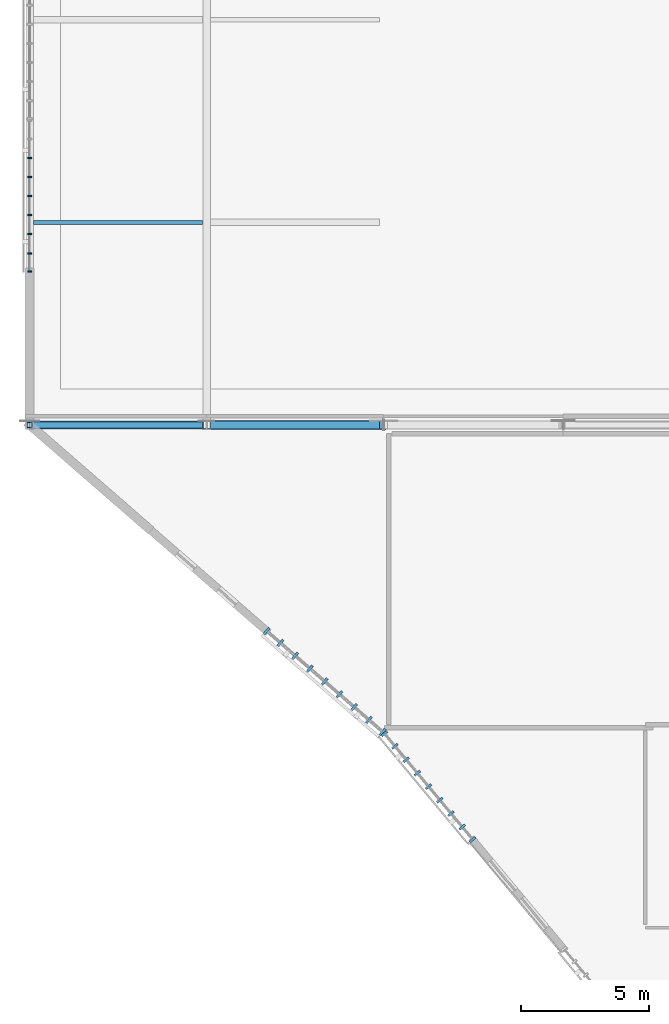
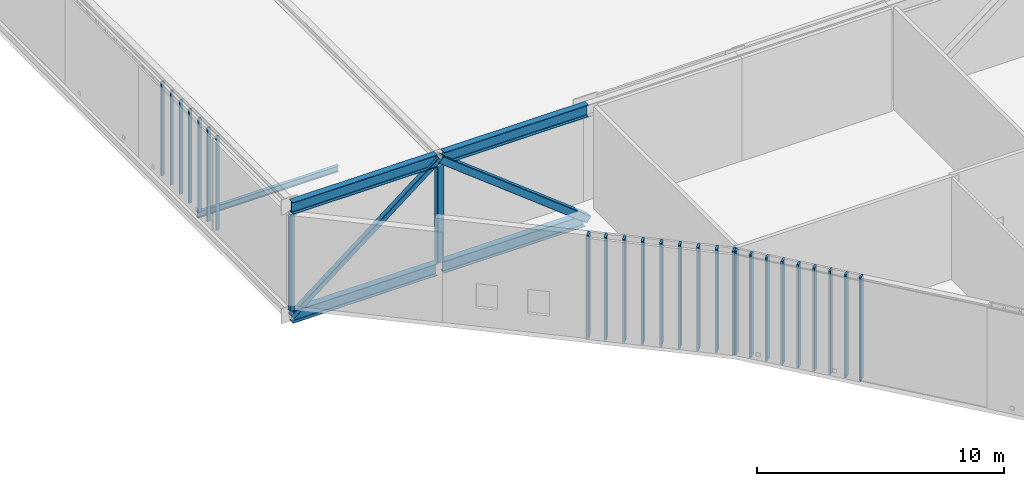
# One storey, part 10 of 135: 29 members, 5 beams, 3 elements without a shape of their own.
"""IFC4 building model written with IfcOpenShell, lengths in metres."""

from ifc_helpers import new_model, si_unit, direction, frame, origin, origin_2d, place, context, subcontext, project, spatial, rectangle, hollow_rectangle, i_section, extrude, material, material_profile, profile_set, type_object, element, aggregate, save


model = new_model("IFC4")

# Units and contexts
model_context = context("Model", 3, precision=1e-05, world=origin(), true_north=direction((0.0, 1.0)))
body_context = subcontext(model_context, "Body", "Model", "MODEL_VIEW")
ifc_project = project(units=[si_unit("LENGTHUNIT", "METRE"), si_unit("AREAUNIT", "SQUARE_METRE"), si_unit("VOLUMEUNIT", "CUBIC_METRE"), si_unit("PLANEANGLEUNIT", "RADIAN"), si_unit("MASSUNIT", "GRAM", prefix="KILO")], contexts=[model_context])

# Site, building, storey
site_placement = place(None, origin())
site = spatial("IfcSite", under=ifc_project, at=site_placement, CompositionType="ELEMENT")
building_placement = place(site_placement, origin())
building = spatial("IfcBuilding", under=site, at=building_placement, Name="Larkvane Passage Sports Hall", CompositionType="ELEMENT")
storey_placement = place(building_placement, frame((0.0, 0.0, 16.800048828125)))
storey = spatial("IfcBuildingStorey", under=building, at=storey_placement, Name="L03", CompositionType="ELEMENT", Elevation=16.800048828125)

# Beams
ifc_material_1 = material(Name="Steel S460N", Category="steel")
ifc_material_profile_1 = material_profile(ifc_material_1, i_section(OverallWidth=0.300048828125, OverallDepth=0.587890625, WebThickness=0.011962890625, FlangeThickness=0.02001953125, FilletRadius=0.02197265625, at=origin_2d()), Name="H-588x300x12x20")
ifc_profile_set_1 = profile_set([ifc_material_profile_1], Name="Steel S460N")
beam_type_1 = type_object("IfcBeamType", Name="BM-STL-H588", PredefinedType="BEAM", material=ifc_profile_set_1)
for number, where, z_axis, x_axis, name in (
    (1, (0.0, 51.60009765625, -0.614013671875), (1.0, 0.0, 0.0), (0.0, 1.0, 0.0), "Cantilever truss CT-W3A-1 bottom chord 1"),
    (2, (0.0, 51.60009765625, 4.755859375), (1.0, 0.0, 0.0), (0.0, 1.0, 0.0), "Cantilever truss CT-W3A-1 top chord 1"),
):
    element("IfcBeam", number, at=place(storey_placement, frame(where, z_axis=z_axis, x_axis=x_axis)), inside=storey, type_object=beam_type_1, Name=name, PredefinedType="BEAM", context=body_context, shape_type="SweptSolid", body=[
        extrude(i_section(OverallWidth=0.300048828125, OverallDepth=0.587890625, WebThickness=0.011962890625, FlangeThickness=0.02001953125, FilletRadius=0.02197265625, at=origin_2d()), origin(), (0.0, 0.0, 1.0), 6.7451171875),
    ])
beam_1_placement = place(storey_placement, frame((7.054931640625, 51.60009765625, -0.614013671875), z_axis=(1.0, 0.0, 0.0), x_axis=(0.0, 1.0, 0.0)))
element("IfcBeam", 3, at=beam_1_placement, inside=storey, type_object=beam_type_1, Name="Cantilever truss CT-W3A-1 bottom chord 2", PredefinedType="BEAM", context=body_context, shape_type="SweptSolid", body=[
    extrude(i_section(OverallWidth=0.300048828125, OverallDepth=0.587890625, WebThickness=0.011962890625, FlangeThickness=0.02001953125, FilletRadius=0.02197265625, at=origin_2d()), origin(), (0.0, 0.0, 1.0), 6.590087890625),
])
beam_2_placement = place(storey_placement, frame((7.054931640625, 51.60009765625, 4.755859375), z_axis=(1.0, 0.0, 0.0), x_axis=(0.0, 1.0, 0.0)))
element("IfcBeam", 4, at=beam_2_placement, inside=storey, type_object=beam_type_1, Name="Cantilever truss CT-W3A-1 top chord 2", PredefinedType="BEAM", context=body_context, shape_type="SweptSolid", body=[
    extrude(i_section(OverallWidth=0.300048828125, OverallDepth=0.587890625, WebThickness=0.011962890625, FlangeThickness=0.02001953125, FilletRadius=0.02197265625, at=origin_2d()), origin(), (0.0, 0.0, 1.0), 6.7451171875),
])

# Curtain wall, members
ifc_material_2 = material(Name="Thermally broken aluminium and low-E glazing", Category="aluminium")
curtain_wall_type_1 = type_object("IfcCurtainWallType", Name="CW-CLINIC", PredefinedType="USERDEFINED", material=ifc_material_2)
curtain_wall_1_placement = place(storey_placement, origin())
curtain_wall_1 = element("IfcCurtainWall", 5, at=curtain_wall_1_placement, inside=storey, type_object=curtain_wall_type_1, Name="Curtain wall CW5-L03-131", ObjectType="UNITISED CURTAIN WALL", PredefinedType="USERDEFINED")
ifc_material_3 = material(Name="Anodised aluminium 6063-T6", Category="aluminium")
ifc_material_profile_2 = material_profile(ifc_material_3, rectangle(XDim=0.10009765625, YDim=0.320068359375, at=origin_2d()), Name="ALU-MUL-100x320")
ifc_profile_set_2 = profile_set([ifc_material_profile_2], Name="Anodised aluminium 6063-T6")
member_type_1 = type_object("IfcMemberType", Name="CW-MUL-100x320", PredefinedType="MULLION", material=ifc_profile_set_2)
member_1_placement = place(storey_placement, frame((13.76220703125, 39.6328125, 0.0), z_axis=(0.0, 0.0, 1.0), x_axis=(-0.754605522159, 0.65617871493, 0.0)))
member_1 = element("IfcMember", 6, at=member_1_placement, type_object=member_type_1, Name="CW-05 mullion 1", PredefinedType="MULLION", context=body_context, shape_type="SweptSolid", body=[
    extrude(rectangle(XDim=0.10009765625, YDim=0.320068359375, at=origin_2d()), origin(), (0.0, 0.0, 1.0), 5.099853515625),
])
member_2_placement = place(storey_placement, frame((13.22509765625, 40.10009765625, 0.0), z_axis=(0.0, 0.0, 1.0), x_axis=(-0.754605522159, 0.65617871493, 0.0)))
member_2 = element("IfcMember", 7, at=member_2_placement, type_object=member_type_1, Name="CW-05 mullion 2", PredefinedType="MULLION", context=body_context, shape_type="SweptSolid", body=[
    extrude(rectangle(XDim=0.10009765625, YDim=0.320068359375, at=origin_2d()), origin(), (0.0, 0.0, 1.0), 5.099853515625),
])
member_3_placement = place(storey_placement, frame((12.64990234375, 40.60009765625, 0.0), z_axis=(0.0, 0.0, 1.0), x_axis=(-0.754605522159, 0.65617871493, 0.0)))
member_3 = element("IfcMember", 8, at=member_3_placement, type_object=member_type_1, Name="CW-05 mullion 3", PredefinedType="MULLION", context=body_context, shape_type="SweptSolid", body=[
    extrude(rectangle(XDim=0.10009765625, YDim=0.320068359375, at=origin_2d()), origin(), (0.0, 0.0, 1.0), 5.099853515625),
])
member_4_placement = place(storey_placement, frame((12.074951171875, 41.10009765625, 0.0), z_axis=(0.0, 0.0, 1.0), x_axis=(-0.754605522159, 0.65617871493, 0.0)))
member_4 = element("IfcMember", 9, at=member_4_placement, type_object=member_type_1, Name="CW-05 mullion 4", PredefinedType="MULLION", context=body_context, shape_type="SweptSolid", body=[
    extrude(rectangle(XDim=0.10009765625, YDim=0.320068359375, at=origin_2d()), origin(), (0.0, 0.0, 1.0), 5.099853515625),
])
member_5_placement = place(storey_placement, frame((11.5, 41.60009765625, 0.0), z_axis=(0.0, 0.0, 1.0), x_axis=(-0.754605522159, 0.65617871493, 0.0)))
member_5 = element("IfcMember", 10, at=member_5_placement, type_object=member_type_1, Name="CW-05 mullion 5", PredefinedType="MULLION", context=body_context, shape_type="SweptSolid", body=[
    extrude(rectangle(XDim=0.10009765625, YDim=0.320068359375, at=origin_2d()), origin(), (0.0, 0.0, 1.0), 5.099853515625),
])
member_6_placement = place(storey_placement, frame((10.925048828125, 42.10009765625, 0.0), z_axis=(0.0, 0.0, 1.0), x_axis=(-0.754605522159, 0.65617871493, 0.0)))
member_6 = element("IfcMember", 11, at=member_6_placement, type_object=member_type_1, Name="CW-05 mullion 6", PredefinedType="MULLION", context=body_context, shape_type="SweptSolid", body=[
    extrude(rectangle(XDim=0.10009765625, YDim=0.320068359375, at=origin_2d()), origin(), (0.0, 0.0, 1.0), 5.099853515625),
])
member_7_placement = place(storey_placement, frame((10.35009765625, 42.60009765625, 0.0), z_axis=(0.0, 0.0, 1.0), x_axis=(-0.754605522159, 0.65617871493, 0.0)))
member_7 = element("IfcMember", 12, at=member_7_placement, type_object=member_type_1, Name="CW-05 mullion 7", PredefinedType="MULLION", context=body_context, shape_type="SweptSolid", body=[
    extrude(rectangle(XDim=0.10009765625, YDim=0.320068359375, at=origin_2d()), origin(), (0.0, 0.0, 1.0), 5.099853515625),
])
member_8_placement = place(storey_placement, frame((9.77490234375, 43.10009765625, 0.0), z_axis=(0.0, 0.0, 1.0), x_axis=(-0.754605522159, 0.65617871493, 0.0)))
member_8 = element("IfcMember", 13, at=member_8_placement, type_object=member_type_1, Name="CW-05 mullion 8", PredefinedType="MULLION", context=body_context, shape_type="SweptSolid", body=[
    extrude(rectangle(XDim=0.10009765625, YDim=0.320068359375, at=origin_2d()), origin(), (0.0, 0.0, 1.0), 5.099853515625),
])
member_9_placement = place(storey_placement, frame((9.23779296875, 43.567138671875, 0.0), z_axis=(0.0, 0.0, 1.0), x_axis=(-0.754605522159, 0.65617871493, 0.0)))
member_9 = element("IfcMember", 14, at=member_9_placement, type_object=member_type_1, Name="CW-05 mullion 9", PredefinedType="MULLION", context=body_context, shape_type="SweptSolid", body=[
    extrude(rectangle(XDim=0.10009765625, YDim=0.320068359375, at=origin_2d()), origin(), (0.0, 0.0, 1.0), 5.099853515625),
])
aggregate(curtain_wall_1, [member_1, member_2, member_3, member_4, member_5, member_6, member_7, member_8, member_9])

curtain_wall_type_2 = type_object("IfcCurtainWallType", Name="CW-UNIT-COURT", PredefinedType="USERDEFINED", material=ifc_material_2)
curtain_wall_2_placement = place(storey_placement, origin())
curtain_wall_2 = element("IfcCurtainWall", 15, at=curtain_wall_2_placement, inside=storey, type_object=curtain_wall_type_2, Name="Curtain wall CW5-L03-132", ObjectType="UNITISED CURTAIN WALL", PredefinedType="USERDEFINED")
ifc_material_profile_3 = material_profile(ifc_material_3, rectangle(XDim=0.06005859375, YDim=0.14990234375, at=origin_2d()), Name="ALU-MUL-60x150")
ifc_profile_set_3 = profile_set([ifc_material_profile_3], Name="Anodised aluminium 6063-T6")
member_type_2 = type_object("IfcMemberType", Name="CW-MUL-60x150", PredefinedType="MULLION", material=ifc_profile_set_3)
member_10_placement = place(storey_placement, frame((0.0, 57.580078125, 0.0), z_axis=(0.0, 0.0, 1.0), x_axis=(0.0, 1.0, 0.0)))
member_10 = element("IfcMember", 16, at=member_10_placement, type_object=member_type_2, Name="CW-01 mullion 1", PredefinedType="MULLION", context=body_context, shape_type="SweptSolid", body=[
    extrude(rectangle(XDim=0.06005859375, YDim=0.14990234375, at=origin_2d()), origin(), (0.0, 0.0, 1.0), 4.64794921875),
])
member_11_placement = place(storey_placement, frame((0.0, 58.293701171875, 0.0), z_axis=(0.0, 0.0, 1.0), x_axis=(0.0, 1.0, 0.0)))
member_11 = element("IfcMember", 17, at=member_11_placement, type_object=member_type_2, Name="CW-01 mullion 2", PredefinedType="MULLION", context=body_context, shape_type="SweptSolid", body=[
    extrude(rectangle(XDim=0.06005859375, YDim=0.14990234375, at=origin_2d()), origin(), (0.0, 0.0, 1.0), 4.64794921875),
])
member_12_placement = place(storey_placement, frame((0.0, 59.03759765625, 0.0), z_axis=(0.0, 0.0, 1.0), x_axis=(0.0, 1.0, 0.0)))
member_12 = element("IfcMember", 18, at=member_12_placement, type_object=member_type_2, Name="CW-01 mullion 3", PredefinedType="MULLION", context=body_context, shape_type="SweptSolid", body=[
    extrude(rectangle(XDim=0.06005859375, YDim=0.14990234375, at=origin_2d()), origin(), (0.0, 0.0, 1.0), 4.64794921875),
])
member_13_placement = place(storey_placement, frame((0.0, 59.78125, 0.0), z_axis=(0.0, 0.0, 1.0), x_axis=(0.0, 1.0, 0.0)))
member_13 = element("IfcMember", 19, at=member_13_placement, type_object=member_type_2, Name="CW-01 mullion 4", PredefinedType="MULLION", context=body_context, shape_type="SweptSolid", body=[
    extrude(rectangle(XDim=0.06005859375, YDim=0.14990234375, at=origin_2d()), origin(), (0.0, 0.0, 1.0), 4.64794921875),
])
member_14_placement = place(storey_placement, frame((0.0, 60.52490234375, 0.0), z_axis=(0.0, 0.0, 1.0), x_axis=(0.0, 1.0, 0.0)))
member_14 = element("IfcMember", 20, at=member_14_placement, type_object=member_type_2, Name="CW-01 mullion 5", PredefinedType="MULLION", context=body_context, shape_type="SweptSolid", body=[
    extrude(rectangle(XDim=0.06005859375, YDim=0.14990234375, at=origin_2d()), origin(), (0.0, 0.0, 1.0), 4.64794921875),
])
member_15_placement = place(storey_placement, frame((0.0, 61.268798828125, 0.0), z_axis=(0.0, 0.0, 1.0), x_axis=(0.0, 1.0, 0.0)))
member_15 = element("IfcMember", 21, at=member_15_placement, type_object=member_type_2, Name="CW-01 mullion 6", PredefinedType="MULLION", context=body_context, shape_type="SweptSolid", body=[
    extrude(rectangle(XDim=0.06005859375, YDim=0.14990234375, at=origin_2d()), origin(), (0.0, 0.0, 1.0), 4.64794921875),
])
member_16_placement = place(storey_placement, frame((0.0, 62.012451171875, 0.0), z_axis=(0.0, 0.0, 1.0), x_axis=(0.0, 1.0, 0.0)))
member_16 = element("IfcMember", 22, at=member_16_placement, type_object=member_type_2, Name="CW-01 mullion 7", PredefinedType="MULLION", context=body_context, shape_type="SweptSolid", body=[
    extrude(rectangle(XDim=0.06005859375, YDim=0.14990234375, at=origin_2d()), origin(), (0.0, 0.0, 1.0), 4.64794921875),
])
aggregate(curtain_wall_2, [member_10, member_11, member_12, member_13, member_14, member_15, member_16])

curtain_wall_type_3 = type_object("IfcCurtainWallType", Name="CW-STICK-FOYER", PredefinedType="USERDEFINED", material=ifc_material_2)
curtain_wall_3_placement = place(storey_placement, origin())
curtain_wall_3 = element("IfcCurtainWall", 23, at=curtain_wall_3_placement, inside=storey, type_object=curtain_wall_type_3, Name="Curtain wall CW5-L03-130", ObjectType="STICK CURTAIN WALL", PredefinedType="USERDEFINED")
ifc_material_profile_4 = material_profile(ifc_material_3, rectangle(XDim=0.090087890625, YDim=0.280029296875, at=origin_2d()), Name="ALU-MUL-90x280")
ifc_profile_set_4 = profile_set([ifc_material_profile_4], Name="Anodised aluminium 6063-T6")
member_type_3 = type_object("IfcMemberType", Name="CW-MUL-90x280", PredefinedType="MULLION", material=ifc_profile_set_4)
member_17_placement = place(storey_placement, frame((17.271240234375, 35.4345703125, 0.0), z_axis=(0.0, 0.0, 1.0), x_axis=(-0.640184399661, 0.7682212796, 0.0)))
member_17 = element("IfcMember", 24, at=member_17_placement, type_object=member_type_3, Name="CW-03 mullion 1", PredefinedType="MULLION", context=body_context, shape_type="SweptSolid", body=[
    extrude(rectangle(XDim=0.090087890625, YDim=0.280029296875, at=origin_2d()), origin(), (0.0, 0.0, 1.0), 5.099853515625),
])
member_18_placement = place(storey_placement, frame((16.862548828125, 35.925048828125, 0.0), z_axis=(0.0, 0.0, 1.0), x_axis=(-0.640184399661, 0.7682212796, 0.0)))
member_18 = element("IfcMember", 25, at=member_18_placement, type_object=member_type_3, Name="CW-03 mullion 2", PredefinedType="MULLION", context=body_context, shape_type="SweptSolid", body=[
    extrude(rectangle(XDim=0.090087890625, YDim=0.280029296875, at=origin_2d()), origin(), (0.0, 0.0, 1.0), 5.099853515625),
])
member_19_placement = place(storey_placement, frame((16.425048828125, 36.449951171875, 0.0), z_axis=(0.0, 0.0, 1.0), x_axis=(-0.640184399661, 0.7682212796, 0.0)))
member_19 = element("IfcMember", 26, at=member_19_placement, type_object=member_type_3, Name="CW-03 mullion 3", PredefinedType="MULLION", context=body_context, shape_type="SweptSolid", body=[
    extrude(rectangle(XDim=0.090087890625, YDim=0.280029296875, at=origin_2d()), origin(), (0.0, 0.0, 1.0), 5.099853515625),
])
member_20_placement = place(storey_placement, frame((15.987548828125, 36.97509765625, 0.0), z_axis=(0.0, 0.0, 1.0), x_axis=(-0.640184399661, 0.7682212796, 0.0)))
member_20 = element("IfcMember", 27, at=member_20_placement, type_object=member_type_3, Name="CW-03 mullion 4", PredefinedType="MULLION", context=body_context, shape_type="SweptSolid", body=[
    extrude(rectangle(XDim=0.090087890625, YDim=0.280029296875, at=origin_2d()), origin(), (0.0, 0.0, 1.0), 5.099853515625),
])
member_21_placement = place(storey_placement, frame((15.550048828125, 37.5, 0.0), z_axis=(0.0, 0.0, 1.0), x_axis=(-0.640184399661, 0.7682212796, 0.0)))
member_21 = element("IfcMember", 28, at=member_21_placement, type_object=member_type_3, Name="CW-03 mullion 5", PredefinedType="MULLION", context=body_context, shape_type="SweptSolid", body=[
    extrude(rectangle(XDim=0.090087890625, YDim=0.280029296875, at=origin_2d()), origin(), (0.0, 0.0, 1.0), 5.099853515625),
])
member_22_placement = place(storey_placement, frame((15.112548828125, 38.02490234375, 0.0), z_axis=(0.0, 0.0, 1.0), x_axis=(-0.640184399661, 0.7682212796, 0.0)))
member_22 = element("IfcMember", 29, at=member_22_placement, type_object=member_type_3, Name="CW-03 mullion 6", PredefinedType="MULLION", context=body_context, shape_type="SweptSolid", body=[
    extrude(rectangle(XDim=0.090087890625, YDim=0.280029296875, at=origin_2d()), origin(), (0.0, 0.0, 1.0), 5.099853515625),
])
member_23_placement = place(storey_placement, frame((14.675048828125, 38.550048828125, 0.0), z_axis=(0.0, 0.0, 1.0), x_axis=(-0.640184399661, 0.7682212796, 0.0)))
member_23 = element("IfcMember", 30, at=member_23_placement, type_object=member_type_3, Name="CW-03 mullion 7", PredefinedType="MULLION", context=body_context, shape_type="SweptSolid", body=[
    extrude(rectangle(XDim=0.090087890625, YDim=0.280029296875, at=origin_2d()), origin(), (0.0, 0.0, 1.0), 5.099853515625),
])
member_24_placement = place(storey_placement, frame((14.237548828125, 39.074951171875, 0.0), z_axis=(0.0, 0.0, 1.0), x_axis=(-0.640184399661, 0.7682212796, 0.0)))
member_24 = element("IfcMember", 31, at=member_24_placement, type_object=member_type_3, Name="CW-03 mullion 8", PredefinedType="MULLION", context=body_context, shape_type="SweptSolid", body=[
    extrude(rectangle(XDim=0.090087890625, YDim=0.280029296875, at=origin_2d()), origin(), (0.0, 0.0, 1.0), 5.099853515625),
])
member_25_placement = place(storey_placement, frame((13.828857421875, 39.5654296875, 0.0), z_axis=(0.0, 0.0, 1.0), x_axis=(-0.640184399661, 0.7682212796, 0.0)))
member_25 = element("IfcMember", 32, at=member_25_placement, type_object=member_type_3, Name="CW-03 mullion 9", PredefinedType="MULLION", context=body_context, shape_type="SweptSolid", body=[
    extrude(rectangle(XDim=0.090087890625, YDim=0.280029296875, at=origin_2d()), origin(), (0.0, 0.0, 1.0), 5.099853515625),
])
aggregate(curtain_wall_3, [member_17, member_18, member_19, member_20, member_21, member_22, member_23, member_24, member_25])

# Beam
ifc_material_4 = material(Name="Steel S355JR", Category="steel")
ifc_material_profile_5 = material_profile(ifc_material_4, i_section(OverallWidth=0.14990234375, OverallDepth=0.300048828125, WebThickness=0.006591796875, FlangeThickness=0.009033203125, FilletRadius=0.012939453125, at=origin_2d()), Name="H-300x150x6.5x9")
ifc_profile_set_5 = profile_set([ifc_material_profile_5], Name="Steel S355JR")
beam_type_2 = type_object("IfcBeamType", Name="JST-STL-H300", PredefinedType="JOIST", material=ifc_profile_set_5)
beam_3_placement = place(storey_placement, frame((0.159912109375, 59.5, -0.469970703125), z_axis=(1.0, 0.0, 0.0), x_axis=(0.0, 1.0, 0.0)))
element("IfcBeam", 33, at=beam_3_placement, inside=storey, type_object=beam_type_2, Name="Cantilever floor joist CT-W3A--1-1", PredefinedType="JOIST", context=body_context, shape_type="SweptSolid", body=[
    extrude(i_section(OverallWidth=0.14990234375, OverallDepth=0.300048828125, WebThickness=0.006591796875, FlangeThickness=0.009033203125, FilletRadius=0.012939453125, at=origin_2d()), origin(), (0.0, 0.0, 1.0), 6.580078125),
])

# Members
ifc_material_profile_6 = material_profile(ifc_material_1, hollow_rectangle(XDim=0.25, YDim=0.25, WallThickness=0.011962890625, InnerFilletRadius=0.011962890625, OuterFilletRadius=0.02392578125, at=origin_2d()), Name="SHS-250x250x12")
ifc_profile_set_6 = profile_set([ifc_material_profile_6], Name="Steel S460N")
member_type_4 = type_object("IfcMemberType", Name="MBR-BR-SHS250", PredefinedType="BRACE", material=ifc_profile_set_6)
member_26_placement = place(storey_placement, frame((0.0, 51.60009765625, -0.614013671875), z_axis=(0.78917025123, 0.0, 0.614174498472), x_axis=(0.0, 1.0, 0.0)))
element("IfcMember", 34, at=member_26_placement, inside=storey, type_object=member_type_4, Name="Cantilever truss CT-W3A-1 web diagonal 1", PredefinedType="BRACE", context=body_context, shape_type="SweptSolid", body=[
    extrude(hollow_rectangle(XDim=0.25, YDim=0.25, WallThickness=0.011962890625, InnerFilletRadius=0.011962890625, OuterFilletRadius=0.02392578125, at=origin_2d()), origin(), (0.0, 0.0, 1.0), 8.7431640625),
])
ifc_material_profile_7 = material_profile(ifc_material_1, hollow_rectangle(XDim=0.35009765625, YDim=0.35009765625, WallThickness=0.01611328125, InnerFilletRadius=0.01611328125, OuterFilletRadius=0.031982421875, at=origin_2d()), Name="SHS-350x350x16")
ifc_profile_set_7 = profile_set([ifc_material_profile_7], Name="Steel S460N")
member_type_5 = type_object("IfcMemberType", Name="MBR-BR-SHS350", PredefinedType="BRACE", material=ifc_profile_set_7)
member_27_placement = place(storey_placement, frame((6.89990234375, 51.60009765625, 4.755859375), z_axis=(0.789180783865, 0.0, -0.614160964551), x_axis=(0.0, 1.0, 0.0)))
element("IfcMember", 35, at=member_27_placement, inside=storey, type_object=member_type_5, Name="Cantilever truss CT-W3A-1 web diagonal 2", PredefinedType="BRACE", context=body_context, shape_type="SweptSolid", body=[
    extrude(hollow_rectangle(XDim=0.35009765625, YDim=0.35009765625, WallThickness=0.01611328125, InnerFilletRadius=0.01611328125, OuterFilletRadius=0.031982421875, at=origin_2d()), origin(), (0.0, 0.0, 1.0), 8.743408203125),
])
ifc_material_profile_8 = material_profile(ifc_material_1, hollow_rectangle(XDim=0.199951171875, YDim=0.199951171875, WallThickness=0.009033203125, InnerFilletRadius=0.009033203125, OuterFilletRadius=0.01806640625, at=origin_2d()), Name="SHS-200x200x9")
ifc_profile_set_8 = profile_set([ifc_material_profile_8], Name="Steel S460N")
member_type_6 = type_object("IfcMemberType", Name="MBR-ST-SHS200", PredefinedType="STRUT", material=ifc_profile_set_8)
member_28_placement = place(storey_placement, frame((0.0, 51.60009765625, -0.320068359375), z_axis=(0.0, 0.0, 1.0), x_axis=(1.0, 0.0, 0.0)))
element("IfcMember", 36, at=member_28_placement, inside=storey, type_object=member_type_6, Name="Cantilever truss CT-W3A-1 vertical post 1", PredefinedType="STRUT", context=body_context, shape_type="SweptSolid", body=[
    extrude(hollow_rectangle(XDim=0.199951171875, YDim=0.199951171875, WallThickness=0.009033203125, InnerFilletRadius=0.009033203125, OuterFilletRadius=0.01806640625, at=origin_2d()), origin(), (0.0, 0.0, 1.0), 4.781982421875),
])
ifc_material_profile_9 = material_profile(ifc_material_1, hollow_rectangle(XDim=0.300048828125, YDim=0.300048828125, WallThickness=0.011962890625, InnerFilletRadius=0.011962890625, OuterFilletRadius=0.02392578125, at=origin_2d()), Name="SHS-300x300x12")
ifc_profile_set_9 = profile_set([ifc_material_profile_9], Name="Steel S460N")
member_type_7 = type_object("IfcMemberType", Name="MBR-ST-SHS300", PredefinedType="STRUT", material=ifc_profile_set_9)
member_29_placement = place(storey_placement, frame((6.89990234375, 51.60009765625, -0.320068359375), z_axis=(0.0, 0.0, 1.0), x_axis=(1.0, 0.0, 0.0)))
element("IfcMember", 37, at=member_29_placement, inside=storey, type_object=member_type_7, Name="Cantilever truss CT-W3A-1 vertical post 2", PredefinedType="STRUT", context=body_context, shape_type="SweptSolid", body=[
    extrude(hollow_rectangle(XDim=0.300048828125, YDim=0.300048828125, WallThickness=0.011962890625, InnerFilletRadius=0.011962890625, OuterFilletRadius=0.02392578125, at=origin_2d()), origin(), (0.0, 0.0, 1.0), 4.781982421875),
])

save(model, "model.ifc")
